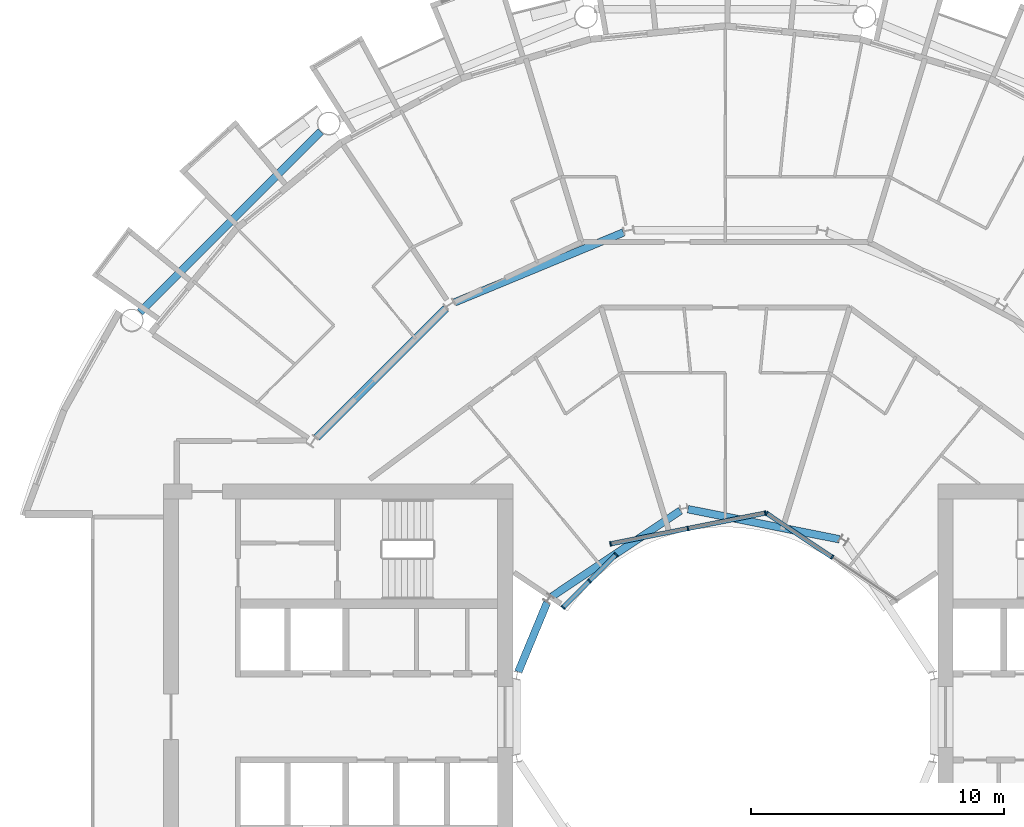
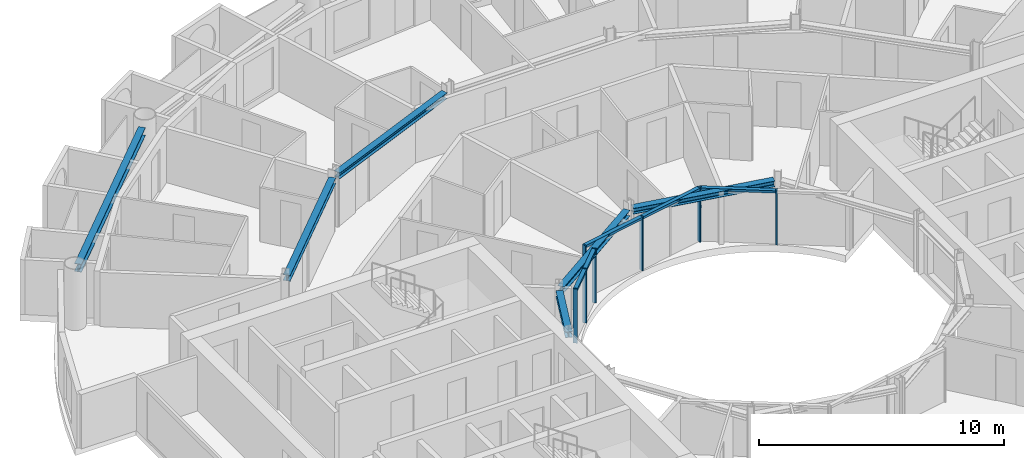
# One storey, part 8 of 27: 13 members, 6 beams, 3 elements without a shape of their own.
"""IFC4 building model written with IfcOpenShell, lengths in metres."""

from ifc_helpers import new_model, si_unit, direction, frame, origin, origin_2d, place, context, subcontext, project, spatial, rectangle, i_section, extrude, material, layer, layer_set, material_profile, profile_set, type_object, element, aggregate, save


model = new_model("IFC4")

# Units and contexts
model_context = context("Model", 3, precision=1e-05, world=origin(), true_north=direction((0.0, 1.0)))
body_context = subcontext(model_context, "Body", "Model", "MODEL_VIEW")
ifc_project = project(units=[si_unit("LENGTHUNIT", "METRE"), si_unit("AREAUNIT", "SQUARE_METRE"), si_unit("VOLUMEUNIT", "CUBIC_METRE"), si_unit("PLANEANGLEUNIT", "RADIAN"), si_unit("MASSUNIT", "GRAM", prefix="KILO")], contexts=[model_context])

# Site, building, storey
site_placement = place(None, origin())
site = spatial("IfcSite", under=ifc_project, at=site_placement, CompositionType="ELEMENT")
building_placement = place(site_placement, origin())
building = spatial("IfcBuilding", under=site, at=building_placement, Name="Maasbend Ring Residences", CompositionType="ELEMENT")
storey_placement = place(building_placement, frame((0.0, 0.0, 120.800048828125)))
storey = spatial("IfcBuildingStorey", under=building, at=storey_placement, Name="L34", CompositionType="ELEMENT", Elevation=120.800048828125)

# Curtain wall, members
ifc_material_1 = material(Name="Aluminium and clear glass", Category="aluminium")
ifc_layer = layer(ifc_material_1, 0.179931640625)
ifc_layer_set = layer_set([ifc_layer], Name="CW-W")
curtain_wall_type = type_object("IfcCurtainWallType", Name="CW-W", PredefinedType="NOTDEFINED", material=ifc_layer_set)
curtain_wall_1_placement = place(storey_placement, origin())
curtain_wall_1 = element("IfcCurtainWall", 1, at=curtain_wall_1_placement, inside=storey, type_object=curtain_wall_type, Name="Well curtain wall N1", PredefinedType="NOTDEFINED")
ifc_material_2 = material(Name="Aluminium 6063-T6", Category="aluminium")
ifc_material_profile_1 = material_profile(ifc_material_2, rectangle(XDim=0.179931640625, YDim=0.06005859375, at=origin_2d()), Name="AL 180x60")
ifc_profile_set_1 = profile_set([ifc_material_profile_1], Name="Aluminium 6063-T6")
member_type_1 = type_object("IfcMemberType", Name="CWM-W", PredefinedType="MULLION", material=ifc_profile_set_1)
member_1_placement = place(storey_placement, frame((4.216796875, 6.310791015625, 0.0), z_axis=(0.0, 0.0, 1.0), x_axis=(-0.55557023302, -0.831469612303, 0.0)))
member_1 = element("IfcMember", 2, at=member_1_placement, type_object=member_type_1, Name="Mullion well face", PredefinedType="MULLION", context=body_context, shape_type="SweptSolid", body=[
    extrude(rectangle(XDim=0.179931640625, YDim=0.06005859375, at=origin_2d()), origin(), (0.0, 0.0, 1.0), 2.699951171875),
])
member_2_placement = place(storey_placement, frame((1.627685546875, 8.040771484375, 0.0), z_axis=(0.0, 0.0, 1.0), x_axis=(-0.55557023302, -0.831469612303, 0.0)))
member_2 = element("IfcMember", 3, at=member_2_placement, type_object=member_type_1, Name="Mullion well face", PredefinedType="MULLION", context=body_context, shape_type="SweptSolid", body=[
    extrude(rectangle(XDim=0.179931640625, YDim=0.06005859375, at=origin_2d()), origin(), (0.0, 0.0, 1.0), 2.699951171875),
])

curtain_wall_2_placement = place(storey_placement, origin())
curtain_wall_2 = element("IfcCurtainWall", 4, at=curtain_wall_2_placement, inside=storey, type_object=curtain_wall_type, Name="Well curtain wall N2", PredefinedType="NOTDEFINED")
member_3_placement = place(storey_placement, frame((1.5732421875, 8.0517578125, 0.0), z_axis=(0.0, 0.0, 1.0), x_axis=(0.195090322016, -0.980785280403, 0.0)))
member_3 = element("IfcMember", 5, at=member_3_placement, type_object=member_type_1, Name="Mullion well face", PredefinedType="MULLION", context=body_context, shape_type="SweptSolid", body=[
    extrude(rectangle(XDim=0.179931640625, YDim=0.06005859375, at=origin_2d()), origin(), (0.0, 0.0, 1.0), 2.699951171875),
])
member_4_placement = place(storey_placement, frame((-1.480712890625, 7.444091796875, 0.0), z_axis=(0.0, 0.0, 1.0), x_axis=(0.195090322016, -0.980785280403, 0.0)))
member_4 = element("IfcMember", 6, at=member_4_placement, type_object=member_type_1, Name="Mullion well face", PredefinedType="MULLION", context=body_context, shape_type="SweptSolid", body=[
    extrude(rectangle(XDim=0.179931640625, YDim=0.06005859375, at=origin_2d()), origin(), (0.0, 0.0, 1.0), 2.699951171875),
])
member_5_placement = place(storey_placement, frame((-4.53466796875, 6.836669921875, 0.0), z_axis=(0.0, 0.0, 1.0), x_axis=(0.195090322016, -0.980785280403, 0.0)))
member_5 = element("IfcMember", 7, at=member_5_placement, type_object=member_type_1, Name="Mullion well face", PredefinedType="MULLION", context=body_context, shape_type="SweptSolid", body=[
    extrude(rectangle(XDim=0.179931640625, YDim=0.06005859375, at=origin_2d()), origin(), (0.0, 0.0, 1.0), 2.699951171875),
])

curtain_wall_3_placement = place(storey_placement, origin())
curtain_wall_3 = element("IfcCurtainWall", 8, at=curtain_wall_3_placement, inside=storey, type_object=curtain_wall_type, Name="Well curtain wall N3", PredefinedType="NOTDEFINED")
member_6_placement = place(storey_placement, frame((-4.320556640625, 6.413330078125, 0.0), z_axis=(0.0, 0.0, 1.0), x_axis=(0.707106781187, -0.707106781187, 0.0)))
member_6 = element("IfcMember", 9, at=member_6_placement, type_object=member_type_1, Name="Mullion well face", PredefinedType="MULLION", context=body_context, shape_type="SweptSolid", body=[
    extrude(rectangle(XDim=0.179931640625, YDim=0.06005859375, at=origin_2d()), origin(), (0.0, 0.0, 1.0), 2.699951171875),
])
member_7_placement = place(storey_placement, frame((-5.366943359375, 5.366943359375, 0.0), z_axis=(0.0, 0.0, 1.0), x_axis=(0.707106781187, -0.707106781187, 0.0)))
member_7 = element("IfcMember", 10, at=member_7_placement, type_object=member_type_1, Name="Mullion well face", PredefinedType="MULLION", context=body_context, shape_type="SweptSolid", body=[
    extrude(rectangle(XDim=0.179931640625, YDim=0.06005859375, at=origin_2d()), origin(), (0.0, 0.0, 1.0), 2.699951171875),
])
member_8_placement = place(storey_placement, frame((-6.413330078125, 4.320556640625, 0.0), z_axis=(0.0, 0.0, 1.0), x_axis=(0.707106781187, -0.707106781187, 0.0)))
member_8 = element("IfcMember", 11, at=member_8_placement, type_object=member_type_1, Name="Mullion well face", PredefinedType="MULLION", context=body_context, shape_type="SweptSolid", body=[
    extrude(rectangle(XDim=0.179931640625, YDim=0.06005859375, at=origin_2d()), origin(), (0.0, 0.0, 1.0), 2.699951171875),
])

# Member
ifc_material_3 = material(Name="Aluminium 6063-T6", Category="aluminium")
ifc_material_profile_2 = material_profile(ifc_material_3, rectangle(XDim=0.179931640625, YDim=0.1201171875, at=origin_2d()), Name="AL 180x120")
ifc_profile_set_2 = profile_set([ifc_material_profile_2], Name="Aluminium 6063-T6")
member_type_2 = type_object("IfcMemberType", Name="CWT-W", PredefinedType="USERDEFINED", material=ifc_profile_set_2)
member_9_placement = place(storey_placement, frame((4.19189453125, 6.32763671875, 2.639892578125), z_axis=(-0.831496422459, 0.555530106689, 0.0), x_axis=(-0.555530106689, -0.831496422459, 0.0)))
member_9 = element("IfcMember", 12, at=member_9_placement, type_object=member_type_2, Name="Transom well face", ObjectType="TRANSOM", PredefinedType="USERDEFINED", context=body_context, shape_type="SweptSolid", body=[
    extrude(rectangle(XDim=0.179931640625, YDim=0.1201171875, at=origin_2d()), origin(), (0.0, 0.0, 1.0), 3.053955078125),
])

aggregate(curtain_wall_1, [member_1, member_2, member_9])

member_10_placement = place(storey_placement, frame((1.5439453125, 8.0458984375, 2.639892578125), z_axis=(-0.980776956105, -0.195132166424, 0.0), x_axis=(0.195132166424, -0.980776956105, 0.0)))
member_10 = element("IfcMember", 13, at=member_10_placement, type_object=member_type_2, Name="Transom well face", ObjectType="TRANSOM", PredefinedType="USERDEFINED", context=body_context, shape_type="SweptSolid", body=[
    extrude(rectangle(XDim=0.179931640625, YDim=0.1201171875, at=origin_2d()), origin(), (0.0, 0.0, 1.0), 3.053955078125),
])

member_11_placement = place(storey_placement, frame((-1.51025390625, 7.438232421875, 2.639892578125), z_axis=(-0.980789210404, -0.19507056353, 0.0), x_axis=(0.19507056353, -0.980789210404, 0.0)))
member_11 = element("IfcMember", 14, at=member_11_placement, type_object=member_type_2, Name="Transom well face", ObjectType="TRANSOM", PredefinedType="USERDEFINED", context=body_context, shape_type="SweptSolid", body=[
    extrude(rectangle(XDim=0.179931640625, YDim=0.1201171875, at=origin_2d()), origin(), (0.0, 0.0, 1.0), 3.0537109375),
])

aggregate(curtain_wall_2, [member_3, member_4, member_5, member_10, member_11])

member_12_placement = place(storey_placement, frame((-4.341796875, 6.39208984375, 2.639892578125), z_axis=(-0.707106781187, -0.707106781187, 0.0), x_axis=(0.707106781187, -0.707106781187, 0.0)))
member_12 = element("IfcMember", 15, at=member_12_placement, type_object=member_type_2, Name="Transom well face", ObjectType="TRANSOM", PredefinedType="USERDEFINED", context=body_context, shape_type="SweptSolid", body=[
    extrude(rectangle(XDim=0.179931640625, YDim=0.1201171875, at=origin_2d()), origin(), (0.0, 0.0, 1.0), 1.419677734375),
])

member_13_placement = place(storey_placement, frame((-5.38818359375, 5.345703125, 2.639892578125), z_axis=(-0.707106781187, -0.707106781187, 0.0), x_axis=(0.707106781187, -0.707106781187, 0.0)))
member_13 = element("IfcMember", 16, at=member_13_placement, type_object=member_type_2, Name="Transom well face", ObjectType="TRANSOM", PredefinedType="USERDEFINED", context=body_context, shape_type="SweptSolid", body=[
    extrude(rectangle(XDim=0.179931640625, YDim=0.1201171875, at=origin_2d()), origin(), (0.0, 0.0, 1.0), 1.419677734375),
])

aggregate(curtain_wall_3, [member_6, member_7, member_8, member_12, member_13])

# Beams
ifc_material_4 = material(Name="Steel S355J2", Category="steel")
ifc_material_profile_3 = material_profile(ifc_material_4, i_section(OverallWidth=0.300048828125, OverallDepth=0.2900390625, WebThickness=0.008544921875, FlangeThickness=0.013916015625, FilletRadius=0.027099609375, at=origin_2d()), Name="HEA 300")
ifc_profile_set_3 = profile_set([ifc_material_profile_3], Name="Steel S355J2")
beam_type_1 = type_object("IfcBeamType", Name="Corridor ring beam HEA 300", PredefinedType="BEAM", material=ifc_profile_set_3)
for number, where, z_axis, x_axis, name in (
    (17, (-4.02734375, 19.13916015625, 2.554931640625), (-0.923877693919, -0.382687871089, 0.0), (0.382687871089, -0.923877693919, 0.0), "Corridor ring beam"),
    (18, (-11.044921875, 16.14111328125, 2.554931640625), (-0.707106781187, -0.707106781187, 0.0), (0.707106781187, -0.707106781187, 0.0), "Corridor ring beam"),
):
    element("IfcBeam", number, at=place(storey_placement, frame(where, z_axis=z_axis, x_axis=x_axis)), inside=storey, type_object=beam_type_1, Name=name, PredefinedType="BEAM", context=body_context, shape_type="SweptSolid", body=[
        extrude(i_section(OverallWidth=0.300048828125, OverallDepth=0.2900390625, WebThickness=0.008544921875, FlangeThickness=0.013916015625, FilletRadius=0.027099609375, at=origin_2d()), origin(), (0.0, 0.0, 1.0), 7.20703125),
    ])
ifc_material_5 = material(Name="Steel S355J2", Category="steel")
ifc_material_profile_4 = material_profile(ifc_material_5, i_section(OverallWidth=0.300048828125, OverallDepth=0.39990234375, WebThickness=0.013427734375, FlangeThickness=0.02392578125, FilletRadius=0.027099609375, at=origin_2d()), Name="HEB 400")
ifc_profile_set_4 = profile_set([ifc_material_profile_4], Name="Steel S355J2")
beam_type_2 = type_object("IfcBeamType", Name="Spandrel ring beam HEB 400", PredefinedType="SPANDREL", material=ifc_profile_set_4)
beam_1_placement = place(storey_placement, frame((-15.990234375, 23.124267578125, 2.5), z_axis=(-0.707106781187, -0.707106781187, 0.0), x_axis=(0.707106781187, -0.707106781187, 0.0)))
element("IfcBeam", 19, at=beam_1_placement, inside=storey, type_object=beam_type_2, Name="Spandrel ring beam", PredefinedType="SPANDREL", context=body_context, shape_type="SweptSolid", body=[
    extrude(i_section(OverallWidth=0.300048828125, OverallDepth=0.39990234375, WebThickness=0.013427734375, FlangeThickness=0.02392578125, FilletRadius=0.027099609375, at=origin_2d()), origin(), (0.0, 0.0, 1.0), 10.089111328125),
])
ifc_material_6 = material(Name="Steel S355J2", Category="steel")
ifc_material_profile_5 = material_profile(ifc_material_6, i_section(OverallWidth=0.300048828125, OverallDepth=0.2900390625, WebThickness=0.008544921875, FlangeThickness=0.013916015625, FilletRadius=0.027099609375, at=origin_2d()), Name="HEA 300")
ifc_profile_set_5 = profile_set([ifc_material_profile_5], Name="Steel S355J2")
beam_type_3 = type_object("IfcBeamType", Name="Well edge beam HEA 300", PredefinedType="BEAM", material=ifc_profile_set_5)
beam_2_placement = place(storey_placement, frame((4.507568359375, 7.01611328125, 2.554931640625), z_axis=(-0.980792381321, 0.195054619896, 0.0), x_axis=(-0.195054619896, -0.980792381321, 0.0)))
element("IfcBeam", 20, at=beam_2_placement, inside=storey, type_object=beam_type_3, Name="Well edge beam", PredefinedType="BEAM", context=body_context, shape_type="SweptSolid", body=[
    extrude(i_section(OverallWidth=0.300048828125, OverallDepth=0.2900390625, WebThickness=0.008544921875, FlangeThickness=0.013916015625, FilletRadius=0.027099609375, at=origin_2d()), origin(), (0.0, 0.0, 1.0), 6.104248046875),
])
beam_3_placement = place(storey_placement, frame((-1.773681640625, 8.1484375, 2.554931640625), z_axis=(-0.831477628137, -0.555558236289, 0.0), x_axis=(0.555558236289, -0.831477628137, 0.0)))
element("IfcBeam", 21, at=beam_3_placement, inside=storey, type_object=beam_type_3, Name="Well edge beam", PredefinedType="BEAM", context=body_context, shape_type="SweptSolid", body=[
    extrude(i_section(OverallWidth=0.300048828125, OverallDepth=0.2900390625, WebThickness=0.008544921875, FlangeThickness=0.013916015625, FilletRadius=0.027099609375, at=origin_2d()), origin(), (0.0, 0.0, 1.0), 6.1044921875),
])
beam_4_placement = place(storey_placement, frame((-7.042724609375, 4.525390625, 2.554931640625), z_axis=(-0.382765370874, -0.923845588212, 0.0), x_axis=(0.923845588212, -0.382765370874, 0.0)))
element("IfcBeam", 22, at=beam_4_placement, inside=storey, type_object=beam_type_3, Name="Well edge beam", PredefinedType="BEAM", context=body_context, shape_type="SweptSolid", body=[
    extrude(i_section(OverallWidth=0.300048828125, OverallDepth=0.2900390625, WebThickness=0.008544921875, FlangeThickness=0.013916015625, FilletRadius=0.027099609375, at=origin_2d()), origin(), (0.0, 0.0, 1.0), 2.9716796875),
])

save(model, "model.ifc")
